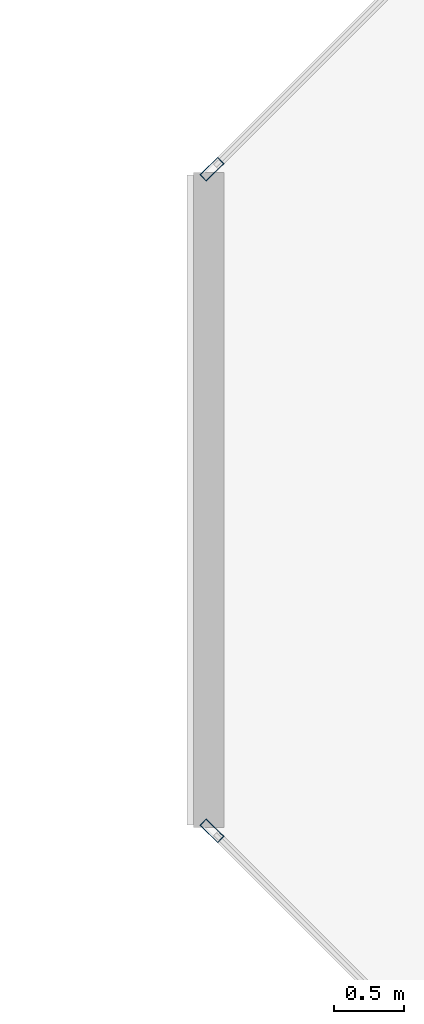
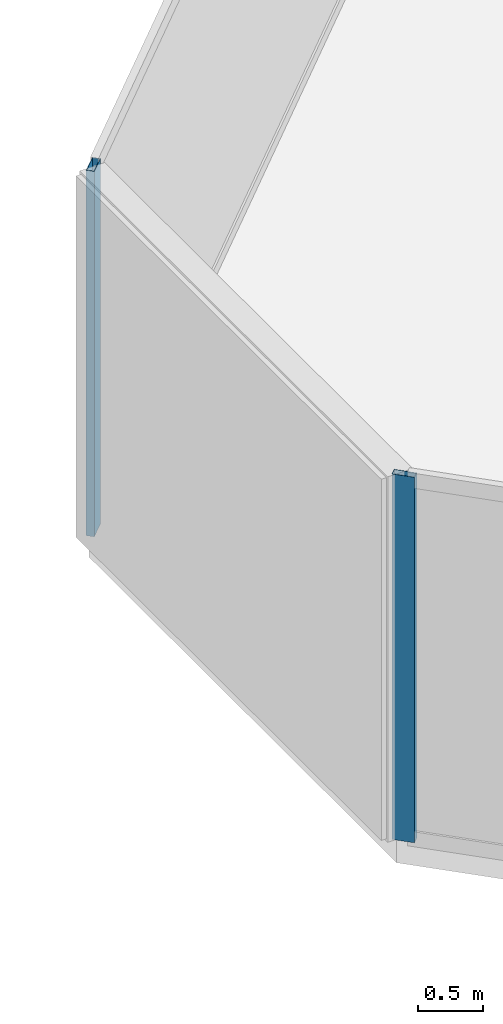
# One storey, part 2 of 19: 2 members, 2 elements without a shape of their own.
"""IFC4 building model written with IfcOpenShell, lengths in metres."""

from ifc_helpers import new_model, si_unit, direction, frame, origin, origin_2d, place, context, subcontext, project, spatial, hollow_rectangle, extrude, material, layer, layer_set, material_profile, profile_set, type_object, element, aggregate, save


model = new_model("IFC4")

# Units and contexts
model_context = context("Model", 3, precision=1e-05, world=origin(), true_north=direction((0.0, 1.0)))
body_context = subcontext(model_context, "Body", "Model", "MODEL_VIEW")
ifc_project = project(units=[si_unit("LENGTHUNIT", "METRE"), si_unit("AREAUNIT", "SQUARE_METRE"), si_unit("VOLUMEUNIT", "CUBIC_METRE"), si_unit("PLANEANGLEUNIT", "RADIAN"), si_unit("MASSUNIT", "GRAM", prefix="KILO")], contexts=[model_context])

# Site, building, storey
site_placement = place(None, origin())
site = spatial("IfcSite", under=ifc_project, at=site_placement, CompositionType="ELEMENT")
building_placement = place(site_placement, origin())
building = spatial("IfcBuilding", under=site, at=building_placement, Name="Tanjung Sevakor Pilgrim Tower", CompositionType="ELEMENT")
storey_placement = place(building_placement, frame((0.0, 0.0, 260.699951171875)))
storey = spatial("IfcBuildingStorey", under=building, at=storey_placement, Name="L73", CompositionType="ELEMENT", Elevation=260.699951171875)

# Curtain wall, member
ifc_material_1 = material(Name="Aluminium 6063-T6 and Low-E Glass", Category="aluminium")
ifc_layer = layer(ifc_material_1, 0.179931640625)
ifc_layer_set = layer_set([ifc_layer], Name="CW-SYS-CHAM")
curtain_wall_type = type_object("IfcCurtainWallType", Name="CW-SYS-CHAM", PredefinedType="NOTDEFINED", material=ifc_layer_set)
curtain_wall_1_placement = place(storey_placement, origin())
curtain_wall_1 = element("IfcCurtainWall", 1, at=curtain_wall_1_placement, inside=storey, type_object=curtain_wall_type, Name="L73 Curtain Wall CW-CHM-L73-EAST-5", PredefinedType="NOTDEFINED")
ifc_material_2 = material(Name="Aluminium 6063-T6", Category="aluminium")
ifc_material_profile = material_profile(ifc_material_2, hollow_rectangle(XDim=0.06494140625, YDim=0.179931640625, WallThickness=0.00390625, at=origin_2d()))
ifc_profile_set = profile_set([ifc_material_profile], Name="Aluminium 6063-T6")
member_type = type_object("IfcMemberType", Name="TYPE-CWM-1", PredefinedType="MULLION", material=ifc_profile_set)
member_1_placement = place(storey_placement, frame((52.23291015625, 35.977294921875, 0.0), z_axis=(0.0, 0.0, 1.0), x_axis=(0.707106781187, -0.707106781187, 0.0)))
member_1 = element("IfcMember", 2, at=member_1_placement, type_object=member_type, Name="CW-CHM mullion 2", PredefinedType="MULLION", context=body_context, shape_type="SweptSolid", body=[
    extrude(hollow_rectangle(XDim=0.06494140625, YDim=0.179931640625, WallThickness=0.00390625, at=origin_2d()), origin(), (0.0, 0.0, 1.0), 3.41015625),
])
aggregate(curtain_wall_1, [member_1])

curtain_wall_2_placement = place(storey_placement, origin())
curtain_wall_2 = element("IfcCurtainWall", 3, at=curtain_wall_2_placement, inside=storey, type_object=curtain_wall_type, Name="L73 Curtain Wall CW-CHM-L73-EAST-7", PredefinedType="NOTDEFINED")
member_2_placement = place(storey_placement, frame((52.23291015625, 31.22265625, 0.0), z_axis=(0.0, 0.0, 1.0), x_axis=(0.707106781187, 0.707106781187, 0.0)))
member_2 = element("IfcMember", 4, at=member_2_placement, type_object=member_type, Name="CW-CHM mullion 1", PredefinedType="MULLION", context=body_context, shape_type="SweptSolid", body=[
    extrude(hollow_rectangle(XDim=0.06494140625, YDim=0.179931640625, WallThickness=0.00390625, at=origin_2d()), origin(), (0.0, 0.0, 1.0), 3.41015625),
])
aggregate(curtain_wall_2, [member_2])

save(model, "model.ifc")
